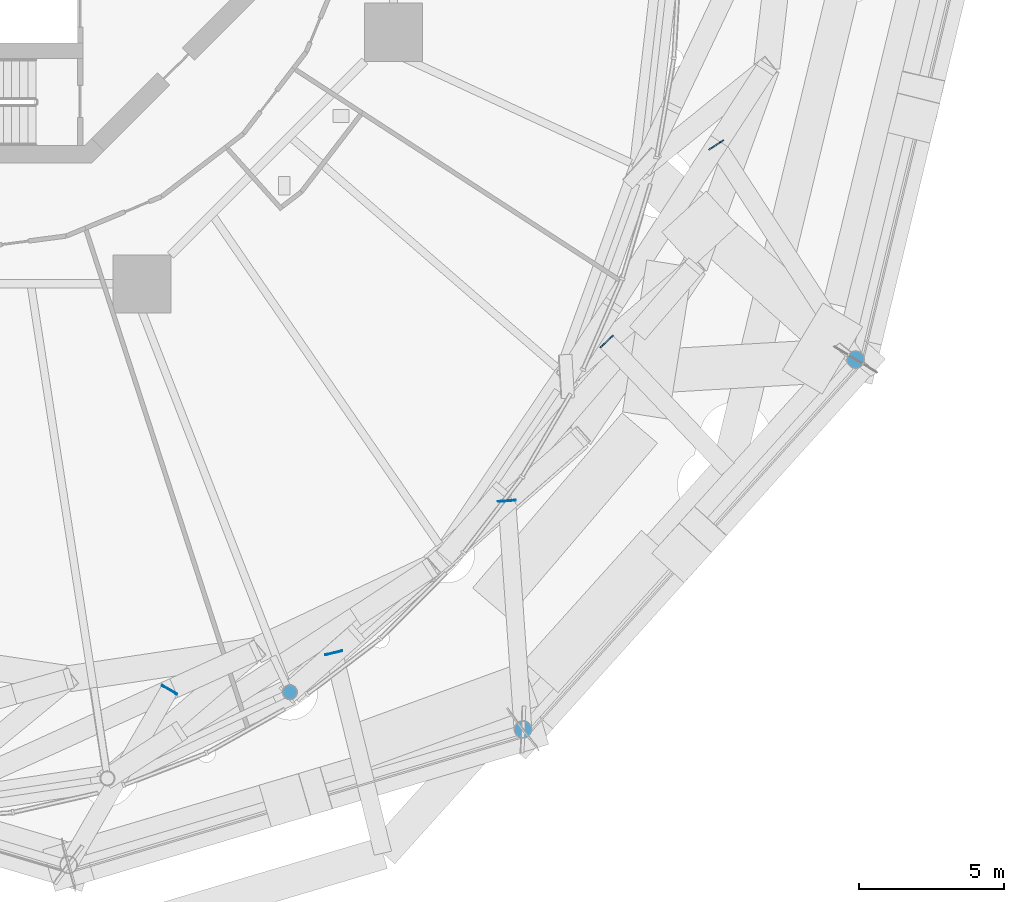
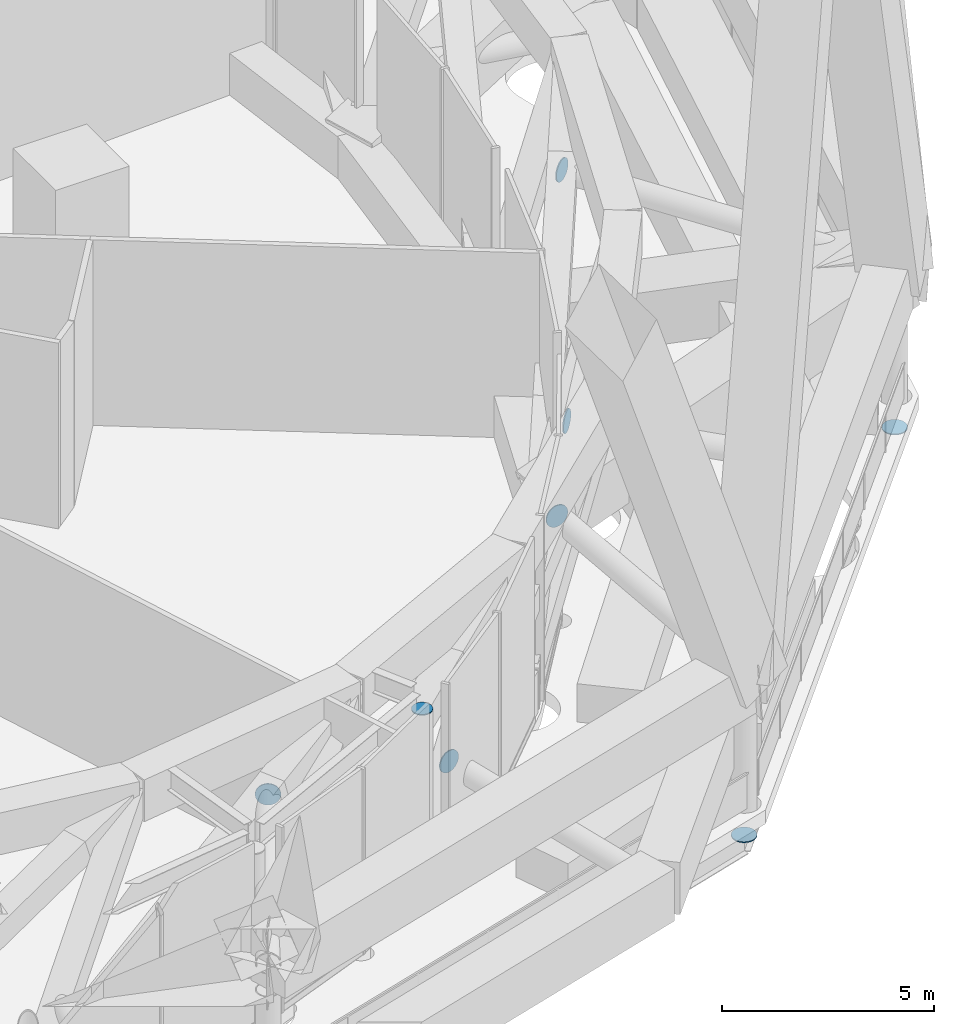
# One storey, part 43 of 49: 8 discrete accessories.
"""IFC4 building model written with IfcOpenShell, lengths in metres."""

from ifc_helpers import new_model, si_unit, direction, frame, origin, origin_2d, place, context, subcontext, project, spatial, circle, extrude, material, layer, layer_set, type_object, element, save


model = new_model("IFC4")

# Units and contexts
model_context = context("Model", 3, precision=1e-05, world=origin(), true_north=direction((0.0, 1.0)))
body_context = subcontext(model_context, "Body", "Model", "MODEL_VIEW")
ifc_project = project(units=[si_unit("LENGTHUNIT", "METRE"), si_unit("AREAUNIT", "SQUARE_METRE"), si_unit("VOLUMEUNIT", "CUBIC_METRE"), si_unit("PLANEANGLEUNIT", "RADIAN"), si_unit("MASSUNIT", "GRAM", prefix="KILO")], contexts=[model_context])

# Site, building, storey
site_placement = place(None, origin())
site = spatial("IfcSite", under=ifc_project, at=site_placement, CompositionType="ELEMENT")
building_placement = place(site_placement, origin())
building = spatial("IfcBuilding", under=site, at=building_placement, Name="Nagisa Residences", CompositionType="ELEMENT")
storey_placement = place(building_placement, frame((0.0, 0.0, 160.300048828125)))
storey = spatial("IfcBuildingStorey", under=building, at=storey_placement, Name="L40", CompositionType="ELEMENT", Elevation=160.300048828125)

# Discrete accessories
ifc_material_1 = material(Name="Steel ASTM A572 Gr 50", Category="steel")
ifc_layer_1 = layer(ifc_material_1, 0.030029296875)
ifc_layer_set_1 = layer_set([ifc_layer_1], Name="End plate")
discrete_accessory_type_1 = type_object("IfcDiscreteAccessoryType", Name="End plate", PredefinedType="ANCHORPLATE", material=ifc_layer_set_1)
for number, where, z_axis, x_axis, name in (
    (1, (19.237548828125, -30.115966796875, -0.89013671875), (0.0, 0.0, -1.0), (1.0, 0.0, 0.0), "End plate DH308"),
    (2, (30.68505859375, -17.387451171875, -0.89013671875), (0.0, 0.0, -1.0), (1.0, 0.0, 0.0), "End plate DH309"),
):
    element("IfcDiscreteAccessory", number, at=place(storey_placement, frame(where, z_axis=z_axis, x_axis=x_axis)), inside=storey, type_object=discrete_accessory_type_1, Name=name, PredefinedType="ANCHORPLATE", context=body_context, shape_type="SweptSolid", body=[
        extrude(circle(Radius=0.304931640625, at=origin_2d()), origin(), (0.0, 0.0, 1.0), 0.030029296875),
    ])
discrete_accessory_1_placement = place(storey_placement, frame((11.217529296875, -28.834228515625, 4.737060546875), z_axis=(0.0, 0.0, 1.0), x_axis=(1.0, 0.0, 0.0)))
element("IfcDiscreteAccessory", 3, at=discrete_accessory_1_placement, inside=storey, type_object=discrete_accessory_type_1, Name="End plate GP321", PredefinedType="ANCHORPLATE", context=body_context, shape_type="SweptSolid", body=[
    extrude(circle(Radius=0.25390625, at=origin_2d()), origin(), (0.0, 0.0, 1.0), 0.02978515625),
])
ifc_material_2 = material(Name="Steel ASTM A572 Gr 50", Category="steel")
ifc_layer_2 = layer(ifc_material_2, 0.030029296875)
ifc_layer_set_2 = layer_set([ifc_layer_2], Name="Node plate")
discrete_accessory_type_2 = type_object("IfcDiscreteAccessoryType", Name="Node plate", PredefinedType="ANCHORPLATE", material=ifc_layer_set_2)
discrete_accessory_2_placement = place(storey_placement, frame((12.73095703125, -27.496337890625, 1.89990234375), z_axis=(-0.236768224447, 0.971566162385, 0.0), x_axis=(-0.971566162385, -0.236768224447, 0.0)))
element("IfcDiscreteAccessory", 4, at=discrete_accessory_2_placement, inside=storey, type_object=discrete_accessory_type_2, Name="Node plate ST3A11", PredefinedType="ANCHORPLATE", context=body_context, shape_type="SweptSolid", body=[
    extrude(circle(Radius=0.304931640625, at=origin_2d()), origin(), (0.0, 0.0, 1.0), 0.02978515625),
])
for number, where, z_axis, x_axis, name in (
    (5, (22.127197265625, -16.779052734375, 1.89990234375), (-0.686623532964, 0.72701315255, 0.0), (-0.72701315255, -0.686623532964, 0.0), "Node plate ST3A12"),
    (6, (7.064208984375, -28.765869140625, 3.699951171875), (0.501354993914, 0.865241683045, 0.0), (-0.865241683045, 0.501354993914, 0.0), "Node plate ST4B10"),
):
    element("IfcDiscreteAccessory", number, at=place(storey_placement, frame(where, z_axis=z_axis, x_axis=x_axis)), inside=storey, type_object=discrete_accessory_type_2, Name=name, PredefinedType="ANCHORPLATE", context=body_context, shape_type="SweptSolid", body=[
        extrude(circle(Radius=0.304931640625, at=origin_2d()), origin(), (0.0, 0.0, 1.0), 0.0302734375),
    ])
for number, where, z_axis, x_axis, name in (
    (7, (18.684326171875, -22.267333984375, 3.699951171875), (-0.072975638312, 0.997333723592, 0.0), (-0.997333723592, -0.072975638312, 0.0), "Node plate ST4B11"),
    (8, (25.89892578125, -10.01220703125, 3.699951171875), (-0.545274379459, 0.838257628123, 0.0), (-0.838257628123, -0.545274379459, 0.0), "Node plate ST4B12"),
):
    element("IfcDiscreteAccessory", number, at=place(storey_placement, frame(where, z_axis=z_axis, x_axis=x_axis)), inside=storey, type_object=discrete_accessory_type_2, Name=name, PredefinedType="ANCHORPLATE", context=body_context, shape_type="SweptSolid", body=[
        extrude(circle(Radius=0.304931640625, at=origin_2d()), origin(), (0.0, 0.0, 1.0), 0.030029296875),
    ])

save(model, "model.ifc")
